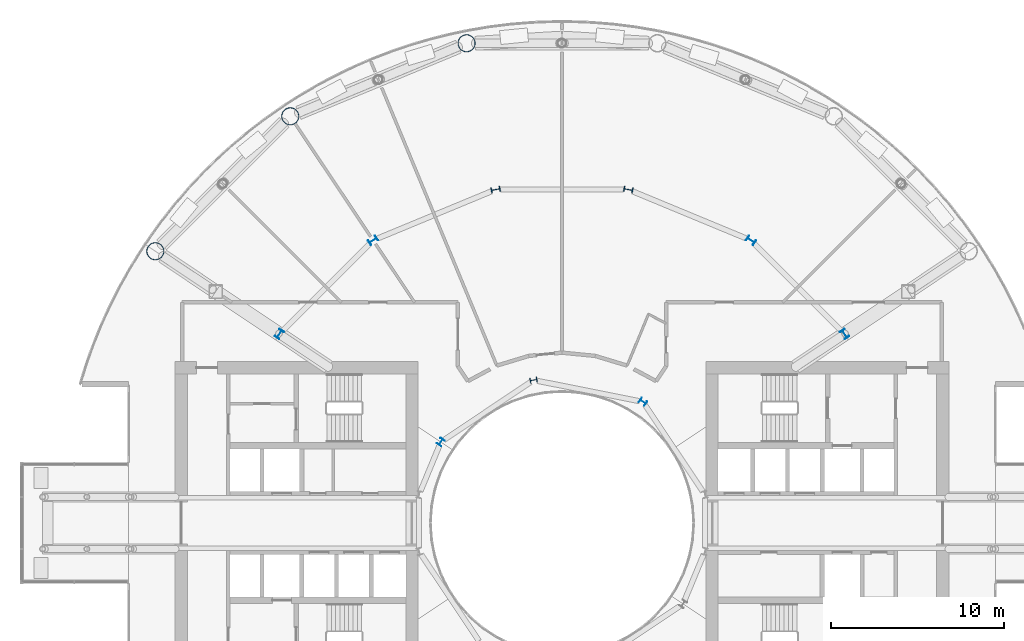
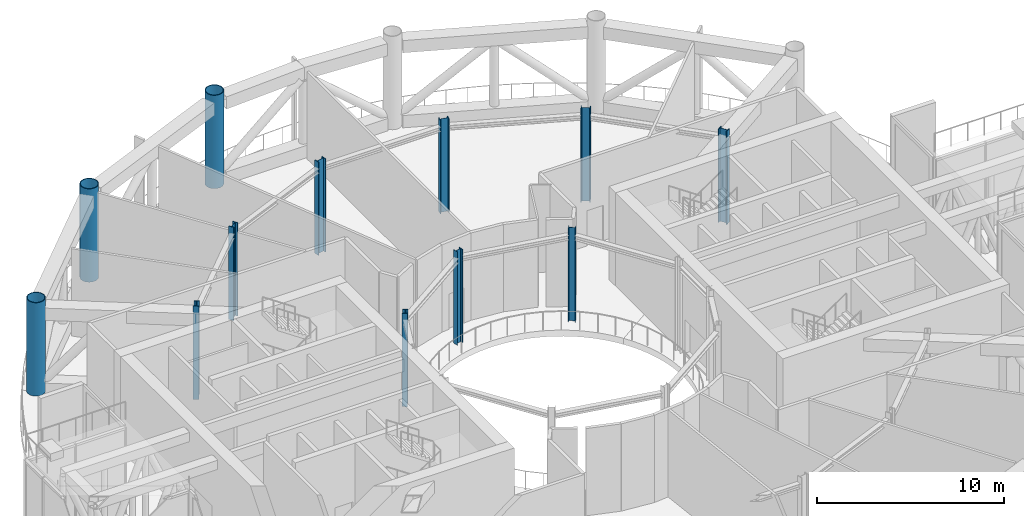
# One storey, part 3 of 23: 12 columns.
"""IFC4 building model written with IfcOpenShell, lengths in metres."""

from ifc_helpers import new_model, si_unit, direction, frame, origin, origin_2d, place, context, subcontext, project, spatial, hollow_circle, i_section, extrude, material, material_profile, profile_set, type_object, element, save


model = new_model("IFC4")

# Units and contexts
model_context = context("Model", 3, precision=1e-05, world=origin(), true_north=direction((0.0, 1.0)))
body_context = subcontext(model_context, "Body", "Model", "MODEL_VIEW")
ifc_project = project(units=[si_unit("LENGTHUNIT", "METRE"), si_unit("AREAUNIT", "SQUARE_METRE"), si_unit("VOLUMEUNIT", "CUBIC_METRE"), si_unit("PLANEANGLEUNIT", "RADIAN"), si_unit("MASSUNIT", "GRAM", prefix="KILO")], contexts=[model_context])

# Site, building, storey
site_placement = place(None, origin())
site = spatial("IfcSite", under=ifc_project, at=site_placement, CompositionType="ELEMENT")
building_placement = place(site_placement, origin())
building = spatial("IfcBuilding", under=site, at=building_placement, Name="Maasbend Ring Residences", CompositionType="ELEMENT")
storey_placement = place(building_placement, frame((0.0, 0.0, 97.14990234375)))
storey = spatial("IfcBuildingStorey", under=building, at=storey_placement, Name="L28", CompositionType="ELEMENT", Elevation=97.14990234375)

# Columns
ifc_material_1 = material(Name="Composite concrete-filled steel tube S460NH / C80/95", Category="concrete")
ifc_material_profile_1 = material_profile(ifc_material_1, hollow_circle(Radius=0.508056640625, WallThickness=0.0400390625, at=origin_2d()), Name="Composite tube column CHS 1016x40")
ifc_profile_set_1 = profile_set([ifc_material_profile_1], Name="Composite concrete-filled steel tube S460NH / C80/95")
column_type_1 = type_object("IfcColumnType", Name="Composite tube column CHS 1016x40", PredefinedType="COLUMN", material=ifc_profile_set_1)
for number, where, z_axis, x_axis, name in (
    (1, (-5.50146484375, 27.658203125, 0.0), (0.0, 0.0, 1.0), (1.0, 0.0, 0.0), "Outer column R5"),
    (2, (-15.6669921875, 23.447509765625, 0.0), (0.0, 0.0, 1.0), (1.0, 0.0, 0.0), "Outer column R6"),
    (3, (-23.447509765625, 15.6669921875, 0.0), (0.0, 0.0, 1.0), (1.0, 0.0, 0.0), "Outer column R7"),
):
    element("IfcColumn", number, at=place(storey_placement, frame(where, z_axis=z_axis, x_axis=x_axis)), inside=storey, type_object=column_type_1, Name=name, PredefinedType="COLUMN", context=body_context, shape_type="SweptSolid", body=[
        extrude(hollow_circle(Radius=0.508056640625, WallThickness=0.0400390625, at=origin_2d()), origin(), (0.0, 0.0, 1.0), 6.10009765625),
    ])
ifc_material_2 = material(Name="Steel S355J2", Category="steel")
ifc_material_profile_2 = material_profile(ifc_material_2, i_section(OverallWidth=0.300048828125, OverallDepth=0.39990234375, WebThickness=0.013427734375, FlangeThickness=0.02392578125, FilletRadius=0.027099609375, at=origin_2d()), Name="HEB 400")
ifc_profile_set_2 = profile_set([ifc_material_profile_2], Name="Steel S355J2")
column_type_2 = type_object("IfcColumnType", Name="Steel column HEB 400", PredefinedType="COLUMN", material=ifc_profile_set_2)
for number, where, z_axis, x_axis, name in (
    (4, (4.666748046875, 6.984375, 0.0), (0.0, 0.0, 1.0), (0.55557023302, 0.831469612303, 0.0), "Well ring column R3"),
    (5, (-1.638916015625, 8.238525390625, 0.0), (0.0, 0.0, 1.0), (-0.195090322016, 0.980785280403, 0.0), "Well ring column R5"),
    (6, (-6.984375, 4.666748046875, 0.0), (0.0, 0.0, 1.0), (-0.831469612303, 0.55557023302, 0.0), "Well ring column R7"),
):
    element("IfcColumn", number, at=place(storey_placement, frame(where, z_axis=z_axis, x_axis=x_axis)), inside=storey, type_object=column_type_2, Name=name, PredefinedType="COLUMN", context=body_context, shape_type="SweptSolid", body=[
        extrude(i_section(OverallWidth=0.300048828125, OverallDepth=0.39990234375, WebThickness=0.013427734375, FlangeThickness=0.02392578125, FilletRadius=0.027099609375, at=origin_2d()), origin(), (0.0, 0.0, 1.0), 6.10009765625),
    ])
ifc_material_3 = material(Name="Steel S460M", Category="steel")
ifc_material_profile_3 = material_profile(ifc_material_3, i_section(OverallWidth=0.305908203125, OverallDepth=0.52392578125, WebThickness=0.02099609375, FlangeThickness=0.0400390625, FilletRadius=0.027099609375, at=origin_2d()), Name="HEM 500")
ifc_profile_set_3 = profile_set([ifc_material_profile_3], Name="Steel S460M")
column_type_3 = type_object("IfcColumnType", Name="Steel column HEM 500", PredefinedType="COLUMN", material=ifc_profile_set_3)
for number, where, z_axis, x_axis, name in (
    (7, (16.296875, 10.88916015625, 0.0), (0.0, 0.0, 1.0), (0.831469612303, 0.55557023302, 0.0), "Corridor ring column R2"),
    (8, (10.88916015625, 16.296875, 0.0), (0.0, 0.0, 1.0), (0.55557023302, 0.831469612303, 0.0), "Corridor ring column R3"),
    (9, (3.82373046875, 19.223388671875, 0.0), (0.0, 0.0, 1.0), (0.195090322016, 0.980785280403, 0.0), "Corridor ring column R4"),
    (10, (-3.82373046875, 19.223388671875, 0.0), (0.0, 0.0, 1.0), (-0.195090322016, 0.980785280403, 0.0), "Corridor ring column R5"),
    (11, (-10.88916015625, 16.296875, 0.0), (0.0, 0.0, 1.0), (-0.55557023302, 0.831469612303, 0.0), "Corridor ring column R6"),
    (12, (-16.296875, 10.88916015625, 0.0), (0.0, 0.0, 1.0), (-0.831469612303, 0.55557023302, 0.0), "Corridor ring column R7"),
):
    element("IfcColumn", number, at=place(storey_placement, frame(where, z_axis=z_axis, x_axis=x_axis)), inside=storey, type_object=column_type_3, Name=name, PredefinedType="COLUMN", context=body_context, shape_type="SweptSolid", body=[
        extrude(i_section(OverallWidth=0.305908203125, OverallDepth=0.52392578125, WebThickness=0.02099609375, FlangeThickness=0.0400390625, FilletRadius=0.027099609375, at=origin_2d()), origin(), (0.0, 0.0, 1.0), 6.10009765625),
    ])

save(model, "model.ifc")
